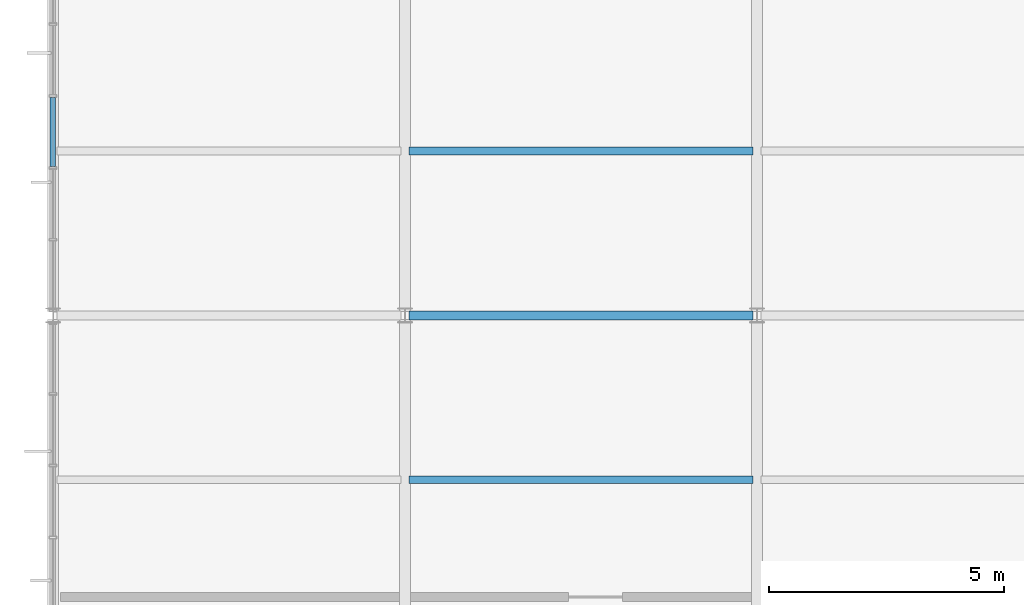
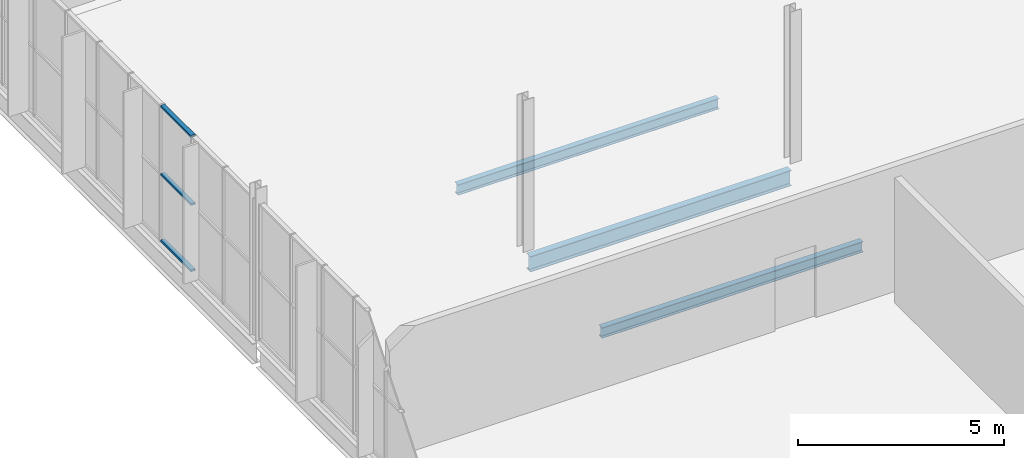
# One storey, part 41 of 324: 3 beams, 3 members, 1 element without a shape of its own.
"""IFC4 building model written with IfcOpenShell, lengths in metres."""

from ifc_helpers import new_model, si_unit, direction, frame, origin, origin_2d, place, context, subcontext, project, spatial, hollow_rectangle, i_section, extrude, material, layer, layer_set, material_profile, profile_set, type_object, element, aggregate, save


model = new_model("IFC4")

# Units and contexts
model_context = context("Model", 3, precision=1e-05, world=origin(), true_north=direction((0.0, 1.0)))
body_context = subcontext(model_context, "Body", "Model", "MODEL_VIEW")
ifc_project = project(units=[si_unit("LENGTHUNIT", "METRE"), si_unit("AREAUNIT", "SQUARE_METRE"), si_unit("VOLUMEUNIT", "CUBIC_METRE"), si_unit("PLANEANGLEUNIT", "RADIAN"), si_unit("MASSUNIT", "GRAM", prefix="KILO")], contexts=[model_context])

# Site, building, storey
site_placement = place(None, origin())
site = spatial("IfcSite", under=ifc_project, at=site_placement, CompositionType="ELEMENT")
building_placement = place(site_placement, origin())
building = spatial("IfcBuilding", under=site, at=building_placement, Name="Solvenia Promenade Tram Depot", CompositionType="ELEMENT")
storey_placement = place(building_placement, frame((0.0, 0.0, 4.5)))
storey = spatial("IfcBuildingStorey", under=building, at=storey_placement, Name="L01", CompositionType="ELEMENT", Elevation=4.5)

# Beam
ifc_material_1 = material(Name="Structural steel ASTM A992 Gr. 50", Category="steel")
ifc_material_profile_1 = material_profile(ifc_material_1, i_section(OverallWidth=0.19091796875, OverallDepth=0.4599609375, WebThickness=0.010009765625, FlangeThickness=0.01611328125, FilletRadius=0.012939453125, at=origin_2d()), Name="W460x82", Category="steel")
ifc_profile_set_1 = profile_set([ifc_material_profile_1], Name="Structural steel ASTM A992 Gr. 50")
beam_type_1 = type_object("IfcBeamType", Name="Beam-W460x82", PredefinedType="BEAM", material=ifc_profile_set_1)
beam_placement = place(storey_placement, frame((7.5849609375, 52.0, -0.469970703125), z_axis=(1.0, 0.0, 0.0), x_axis=(0.0, 1.0, 0.0)))
element("IfcBeam", 1, at=beam_placement, inside=storey, type_object=beam_type_1, Name="Primary Girder BM-L01-0224", PredefinedType="BEAM", context=body_context, shape_type="SweptSolid", body=[
    extrude(i_section(OverallWidth=0.19091796875, OverallDepth=0.4599609375, WebThickness=0.010009765625, FlangeThickness=0.01611328125, FilletRadius=0.012939453125, at=origin_2d()), origin(), (0.0, 0.0, 1.0), 7.330078125),
])

# Curtain wall, members
ifc_material_2 = material(Name="Anodized aluminium AW-6063 T6", Category="aluminium")
ifc_layer = layer(ifc_material_2, 0.1201171875, Name="Anodized aluminium AW-6063 T6", Category="aluminium")
ifc_layer_set = layer_set([ifc_layer], Name="Anodized aluminium AW-6063 T6")
curtain_wall_type = type_object("IfcCurtainWallType", Name="CW-Wash-1500", PredefinedType="NOTDEFINED", material=ifc_layer_set)
curtain_wall_placement = place(storey_placement, origin())
curtain_wall = element("IfcCurtainWall", 2, at=curtain_wall_placement, inside=storey, type_object=curtain_wall_type, Name="Curtain Wall CW-V3-W-L1-3", PredefinedType="NOTDEFINED")
ifc_material_profile_2 = material_profile(ifc_material_2, hollow_rectangle(XDim=0.1201171875, YDim=0.06005859375, WallThickness=0.00390625, at=origin_2d()), Name="ALU-T1", Category="aluminium")
ifc_profile_set_2 = profile_set([ifc_material_profile_2], Name="Anodized aluminium AW-6063 T6")
member_type = type_object("IfcMemberType", Name="CWT-Transom-1", PredefinedType="USERDEFINED", material=ifc_profile_set_2)
member_1_placement = place(storey_placement, frame((0.0, 55.168212890625, 0.030029296875), z_axis=(0.0, 1.0, 0.0), x_axis=(-1.0, 0.0, 0.0)))
member_1 = element("IfcMember", 3, at=member_1_placement, type_object=member_type, Name="CW-10 transom 3.1", ObjectType="TRANSOM", PredefinedType="USERDEFINED", context=body_context, shape_type="SweptSolid", body=[
    extrude(hollow_rectangle(XDim=0.1201171875, YDim=0.06005859375, WallThickness=0.00390625, at=origin_2d()), origin(), (0.0, 0.0, 1.0), 1.47900390625),
])
member_2_placement = place(storey_placement, frame((0.0, 55.168212890625, 2.0), z_axis=(0.0, 1.0, 0.0), x_axis=(-1.0, 0.0, 0.0)))
member_2 = element("IfcMember", 4, at=member_2_placement, type_object=member_type, Name="CW-10 transom 3.2", ObjectType="TRANSOM", PredefinedType="USERDEFINED", context=body_context, shape_type="SweptSolid", body=[
    extrude(hollow_rectangle(XDim=0.1201171875, YDim=0.06005859375, WallThickness=0.00390625, at=origin_2d()), origin(), (0.0, 0.0, 1.0), 1.47900390625),
])
member_3_placement = place(storey_placement, frame((0.0, 55.168212890625, 4.02001953125), z_axis=(0.0, 1.0, 0.0), x_axis=(-1.0, 0.0, 0.0)))
member_3 = element("IfcMember", 5, at=member_3_placement, type_object=member_type, Name="CW-10 transom 3.3", ObjectType="TRANSOM", PredefinedType="USERDEFINED", context=body_context, shape_type="SweptSolid", body=[
    extrude(hollow_rectangle(XDim=0.1201171875, YDim=0.06005859375, WallThickness=0.00390625, at=origin_2d()), origin(), (0.0, 0.0, 1.0), 1.47900390625),
])
aggregate(curtain_wall, [member_1, member_2, member_3])

# Beams
ifc_material_profile_3 = material_profile(ifc_material_1, i_section(OverallWidth=0.166015625, OverallDepth=0.31298828125, WebThickness=0.006591796875, FlangeThickness=0.01123046875, FilletRadius=0.010009765625, at=origin_2d()), Name="W310x45", Category="steel")
ifc_profile_set_3 = profile_set([ifc_material_profile_3], Name="Structural steel ASTM A992 Gr. 50")
beam_type_2 = type_object("IfcBeamType", Name="Joist-W310x45", PredefinedType="JOIST", material=ifc_profile_set_3)
for number, where, z_axis, x_axis, name in (
    (6, (7.5849609375, 48.5, -0.396484375), (1.0, 0.0, 0.0), (0.0, 1.0, 0.0), "Secondary Floor Joist BM-L01-0262"),
    (7, (7.5849609375, 55.5, -0.396484375), (1.0, 0.0, 0.0), (0.0, 1.0, 0.0), "Secondary Floor Joist BM-L01-0263"),
):
    element("IfcBeam", number, at=place(storey_placement, frame(where, z_axis=z_axis, x_axis=x_axis)), inside=storey, type_object=beam_type_2, Name=name, PredefinedType="JOIST", context=body_context, shape_type="SweptSolid", body=[
        extrude(i_section(OverallWidth=0.166015625, OverallDepth=0.31298828125, WebThickness=0.006591796875, FlangeThickness=0.01123046875, FilletRadius=0.010009765625, at=origin_2d()), origin(), (0.0, 0.0, 1.0), 7.330078125),
    ])

save(model, "model.ifc")
